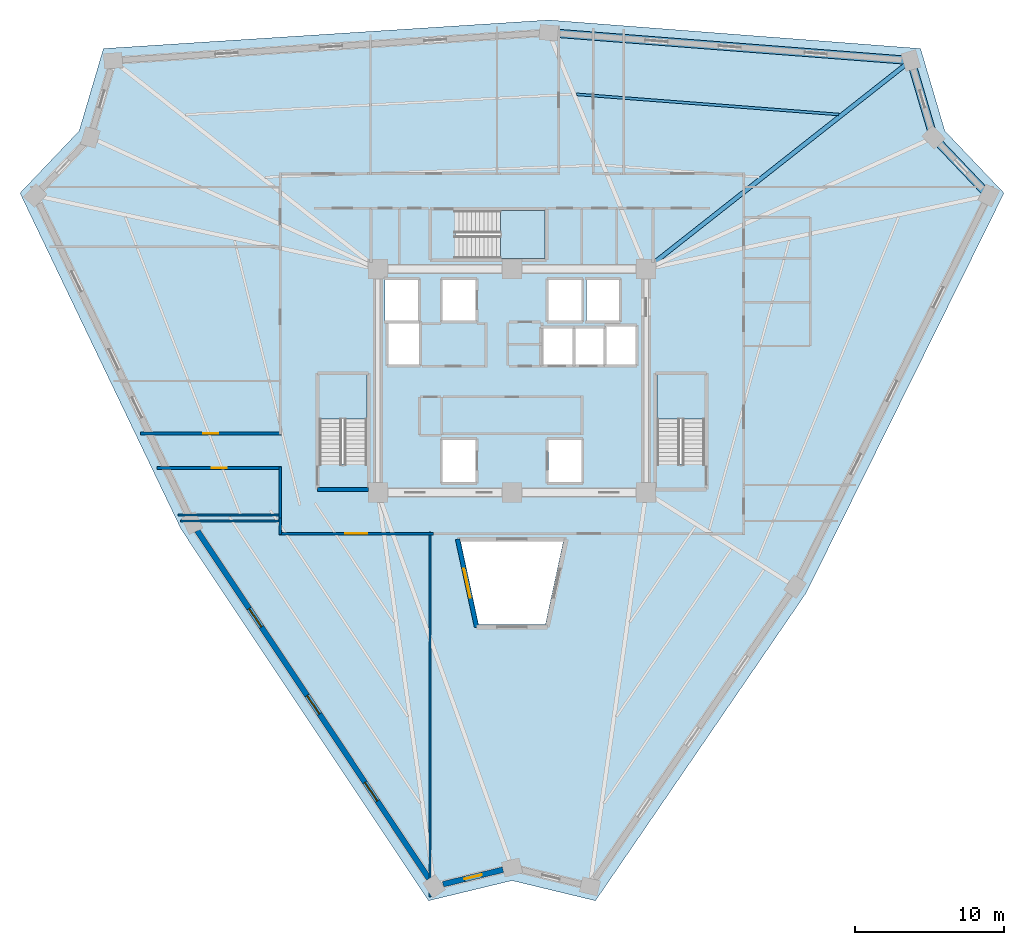
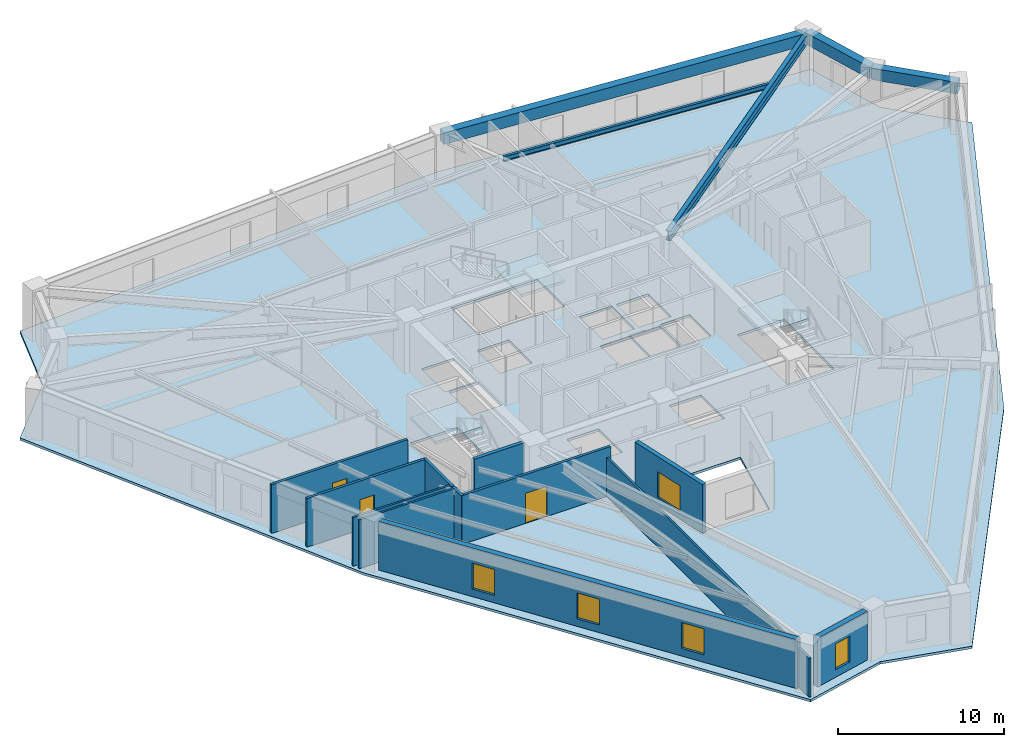
# One storey, part 2 of 8: 12 walls, 5 beams, 5 windows, 4 slabs, 3 doors, 8 openings, 3 elements without a shape of their own.
"""IFC4 building model written with IfcOpenShell, lengths in metres."""

from ifc_helpers import new_model, si_unit, direction, frame, frame_2d, origin, origin_2d, place, context, subcontext, project, spatial, polyline, rectangle, i_section, outline, extrude, source, transform, mapped, material, layer, layer_set, material_profile, profile_set, type_object, element, fill, aggregate, save


model = new_model("IFC4")

# Units and contexts
model_context = context("Model", 3, precision=1e-05, world=origin(), true_north=direction((0.0, 1.0)))
body_context = subcontext(model_context, "Body", "Model", "MODEL_VIEW")
ifc_project = project(units=[si_unit("LENGTHUNIT", "METRE"), si_unit("AREAUNIT", "SQUARE_METRE"), si_unit("VOLUMEUNIT", "CUBIC_METRE"), si_unit("PLANEANGLEUNIT", "RADIAN"), si_unit("MASSUNIT", "GRAM", prefix="KILO")], contexts=[model_context])

# Site, building, storey
site_placement = place(None, origin())
site = spatial("IfcSite", under=ifc_project, at=site_placement, CompositionType="ELEMENT")
building_placement = place(site_placement, origin())
building = spatial("IfcBuilding", under=site, at=building_placement, Name="Liaohun Quay Tower", CompositionType="ELEMENT")
storey_placement = place(building_placement, frame((0.0, 0.0, 251.25)))
storey = spatial("IfcBuildingStorey", under=building, at=storey_placement, Name="L65", CompositionType="ELEMENT", Elevation=251.25)

# Beams
ifc_material_1 = material(Name="Steel Q355D", Category="steel")
ifc_material_profile_1 = material_profile(ifc_material_1, i_section(OverallWidth=0.300048828125, OverallDepth=0.699951171875, WebThickness=0.012939453125, FlangeThickness=0.02392578125, at=origin_2d()), Name="HN700x300x13x24")
ifc_profile_set_1 = profile_set([ifc_material_profile_1], Name="Steel Q355D")
beam_type_1 = type_object("IfcBeamType", Name="BM-RAD-U1", PredefinedType="BEAM", material=ifc_profile_set_1)
shared_shape_1 = source(origin(), body_context, "Body", "SweptSolid", [
    extrude(i_section(OverallWidth=0.300048828125, OverallDepth=0.699951171875, WebThickness=0.012939453125, FlangeThickness=0.02392578125, at=origin_2d()), origin(), (0.0, 0.0, 1.0), 22.62939453125),
])
beam_1_placement = place(storey_placement, frame((69.0, 61.5, 3.219970703125), z_axis=(0.785620385804, 0.618708824415, 0.0), x_axis=(-0.618708824415, 0.785620385804, 0.0)))
element("IfcBeam", 1, at=beam_1_placement, inside=storey, type_object=beam_type_1, Name="L65 Radial Primary Girder CC4-PC07", PredefinedType="BEAM", context=body_context, shape_type="MappedRepresentation", body=[
    mapped(shared_shape_1, transform((0.0, 0.0, 0.0), x_axis=(1.0, 0.0, 0.0), y_axis=(0.0, 1.0, 0.0), z_axis=(0.0, 0.0, 1.0), scale=1.0)),
])
ifc_material_profile_2 = material_profile(ifc_material_1, i_section(OverallWidth=0.175048828125, OverallDepth=0.35009765625, WebThickness=0.007080078125, FlangeThickness=0.010986328125, at=origin_2d()), Name="HN350x175x7x11")
ifc_profile_set_2 = profile_set([ifc_material_profile_2], Name="Steel Q355D")
beam_type_2 = type_object("IfcBeamType", Name="BM-SEC-J3", PredefinedType="JOIST", material=ifc_profile_set_2)
shared_shape_2 = source(origin(), body_context, "Body", "SweptSolid", [
    extrude(i_section(OverallWidth=0.175048828125, OverallDepth=0.35009765625, WebThickness=0.007080078125, FlangeThickness=0.010986328125, at=origin_2d()), origin(), (0.0, 0.0, 1.0), 17.656005859375),
])
beam_2_placement = place(storey_placement, frame((64.3310546875, 73.23095703125, 3.39501953125), z_axis=(0.997059363844, -0.076633054037, 0.0), x_axis=(0.076633054037, 0.997059363844, 0.0)))
element("IfcBeam", 2, at=beam_2_placement, inside=storey, type_object=beam_type_2, Name="L65 Wing Secondary Floor Joist SJ-09", PredefinedType="JOIST", context=body_context, shape_type="MappedRepresentation", body=[
    mapped(shared_shape_2, transform((0.0, 0.0, 0.0), x_axis=(1.0, 0.0, 0.0), y_axis=(0.0, 1.0, 0.0), z_axis=(0.0, 0.0, 1.0), scale=1.0)),
])
ifc_material_2 = material(Name="Precast concrete C50", Category="concrete")
ifc_material_profile_3 = material_profile(ifc_material_2, rectangle(XDim=0.550048828125, YDim=0.85009765625, at=origin_2d()), Name="RC550x850")
ifc_profile_set_3 = profile_set([ifc_material_profile_3], Name="Precast concrete C50")
beam_type_3 = type_object("IfcBeamType", Name="BM-SPD-Z3", PredefinedType="SPANDREL", material=ifc_profile_set_3)
shared_shape_3 = source(origin(), body_context, "Body", "SweptSolid", [
    extrude(rectangle(XDim=0.550048828125, YDim=0.85009765625, at=origin_2d()), origin(), (0.0, 0.0, 1.0), 24.3857421875),
])
beam_3_placement = place(storey_placement, frame((62.464111328125, 77.3701171875, 3.14501953125), z_axis=(0.997058135672, -0.076649031898, 0.0), x_axis=(0.076649031898, 0.997058135672, 0.0)))
element("IfcBeam", 3, at=beam_3_placement, inside=storey, type_object=beam_type_3, Name="L65 Precast Spandrel Beam PC06-PC07", PredefinedType="SPANDREL", context=body_context, shape_type="MappedRepresentation", body=[
    mapped(shared_shape_3, transform((0.0, 0.0, 0.0), x_axis=(1.0, 0.0, 0.0), y_axis=(0.0, 1.0, 0.0), z_axis=(0.0, 0.0, 1.0), scale=1.0)),
])
shared_shape_4 = source(origin(), body_context, "Body", "SweptSolid", [
    extrude(rectangle(XDim=0.550048828125, YDim=0.85009765625, at=origin_2d()), origin(), (0.0, 0.0, 1.0), 5.3818359375),
])
beam_4_placement = place(storey_placement, frame((86.778076171875, 75.5009765625, 3.14501953125), z_axis=(0.282979158673, -0.959126058324, 0.0), x_axis=(0.959126058324, 0.282979158673, 0.0)))
element("IfcBeam", 4, at=beam_4_placement, inside=storey, type_object=beam_type_3, Name="L65 Precast Spandrel Beam PC07-PC08", PredefinedType="SPANDREL", context=body_context, shape_type="MappedRepresentation", body=[
    mapped(shared_shape_4, transform((0.0, 0.0, 0.0), x_axis=(1.0, 0.0, 0.0), y_axis=(0.0, 1.0, 0.0), z_axis=(0.0, 0.0, 1.0), scale=1.0)),
])
shared_shape_5 = source(origin(), body_context, "Body", "SweptSolid", [
    extrude(rectangle(XDim=0.550048828125, YDim=0.85009765625, at=origin_2d()), origin(), (0.0, 0.0, 1.0), 5.37353515625),
])
beam_5_placement = place(storey_placement, frame((88.301025390625, 70.339111328125, 3.14501953125), z_axis=(0.689281829079, -0.724493312669, 0.0), x_axis=(0.724493312669, 0.689281829079, 0.0)))
element("IfcBeam", 5, at=beam_5_placement, inside=storey, type_object=beam_type_3, Name="L65 Precast Spandrel Beam PC08-PC09", PredefinedType="SPANDREL", context=body_context, shape_type="MappedRepresentation", body=[
    mapped(shared_shape_5, transform((0.0, 0.0, 0.0), x_axis=(1.0, 0.0, 0.0), y_axis=(0.0, 1.0, 0.0), z_axis=(0.0, 0.0, 1.0), scale=1.0)),
])

# Stair, slab
ifc_material_3 = material(Name="Concrete C45", Category="concrete")
stair_type = type_object("IfcStairType", Name="STR-CORE-OFF", PredefinedType="HALF_TURN_STAIR", material=ifc_material_3)
stair_1_placement = place(storey_placement, origin())
stair_1 = element("IfcStair", 6, at=stair_1_placement, inside=storey, type_object=stair_type, Name="L65 Smokeproof Core Exit Stair ST-1", PredefinedType="HALF_TURN_STAIR")
ifc_layer_1 = layer(ifc_material_3, 0.199951171875, Name="Concrete C45", Category="concrete")
ifc_layer_set_1 = layer_set([ifc_layer_1], Name="Concrete C45")
slab_type_1 = type_object("IfcSlabType", Name="SLB-LND-200", PredefinedType="LANDING", material=ifc_layer_set_1)
slab_1_placement = place(storey_placement, frame((0.0, 0.0, 1.675048828125)))
slab_1 = element("IfcSlab", 7, at=slab_1_placement, type_object=slab_type_1, Name="ST-1 landing 1", PredefinedType="LANDING", context=body_context, shape_type="SweptSolid", body=[
    extrude(outline(polyline([(50.280029296875, 51.429931640625), (50.280029296875, 54.419921875), (47.0400390625, 54.419921875), (47.0400390625, 51.429931640625), (50.280029296875, 51.429931640625)])), origin(), (0.0, 0.0, 1.0), 0.199951171875),
])
aggregate(stair_1, [slab_1])

stair_2_placement = place(storey_placement, origin())
stair_2 = element("IfcStair", 8, at=stair_2_placement, inside=storey, type_object=stair_type, Name="L65 Smokeproof Core Exit Stair ST-2", PredefinedType="HALF_TURN_STAIR")
slab_2_placement = place(storey_placement, frame((0.0, 0.0, 1.675048828125)))
slab_2 = element("IfcSlab", 9, at=slab_2_placement, type_object=slab_type_1, Name="ST-2 landing 1", PredefinedType="LANDING", context=body_context, shape_type="SweptSolid", body=[
    extrude(outline(polyline([(72.9599609375, 51.429931640625), (72.9599609375, 54.419921875), (69.719970703125, 54.419921875), (69.719970703125, 51.429931640625), (72.9599609375, 51.429931640625)])), origin(), (0.0, 0.0, 1.0), 0.199951171875),
])
aggregate(stair_2, [slab_2])

stair_3_placement = place(storey_placement, origin())
stair_3 = element("IfcStair", 10, at=stair_3_placement, inside=storey, type_object=stair_type, Name="L65 Smokeproof Core Exit Stair ST-3", PredefinedType="HALF_TURN_STAIR")
slab_3_placement = place(storey_placement, frame((0.0, 0.0, 1.675048828125)))
slab_3 = element("IfcSlab", 11, at=slab_3_placement, type_object=slab_type_1, Name="ST-3 landing 1", PredefinedType="LANDING", context=body_context, shape_type="SweptSolid", body=[
    extrude(outline(polyline([(59.22998046875, 62.199951171875), (62.219970703125, 62.199951171875), (62.219970703125, 65.43994140625), (59.22998046875, 65.43994140625), (59.22998046875, 62.199951171875)])), origin(), (0.0, 0.0, 1.0), 0.199951171875),
])
aggregate(stair_3, [slab_3])

# Slab
ifc_layer_2 = layer(ifc_material_3, 0.179931640625, Name="Concrete C45", Category="concrete")
ifc_layer_set_2 = layer_set([ifc_layer_2], Name="Concrete C45")
slab_type_2 = type_object("IfcSlabType", Name="SLB-OFF-180", PredefinedType="FLOOR", material=ifc_layer_set_2)
slab_4_placement = place(storey_placement, frame((0.0, 0.0, -0.179931640625)))
element("IfcSlab", 12, at=slab_4_placement, inside=storey, type_object=slab_type_2, Name="L65 Structural Floor Slab", PredefinedType="FLOOR", context=body_context, shape_type="SweptSolid", body=[
    extrude(outline(polyline([(54.39794921875, 19.093994140625), (60.0, 20.447021484375), (65.60205078125, 19.093994140625), (79.742919921875, 39.7509765625), (93.030029296875, 66.60205078125), (89.05810546875, 70.77587890625), (87.427978515625, 76.303955078125), (62.468994140625, 78.221923828125), (32.572021484375, 76.303955078125), (30.94189453125, 70.77587890625), (26.969970703125, 66.60205078125), (37.7890625, 44.027099609375), (54.39794921875, 19.093994140625)]), holes=[polyline([(63.444091796875, 43.199951171875), (56.555908203125, 43.199951171875), (57.760986328125, 37.6240234375), (62.239013671875, 37.6240234375), (63.444091796875, 43.199951171875)]), polyline([(57.56005859375, 47.2099609375), (57.56005859375, 50.030029296875), (55.340087890625, 50.030029296875), (55.340087890625, 47.2099609375), (57.56005859375, 47.2099609375)]), polyline([(50.280029296875, 54.419921875), (47.0400390625, 54.419921875), (47.0400390625, 48.409912109375), (50.280029296875, 48.409912109375), (50.280029296875, 54.419921875)]), polyline([(53.760009765625, 55.090087890625), (53.760009765625, 57.909912109375), (51.7099609375, 57.909912109375), (51.7099609375, 55.090087890625), (53.760009765625, 55.090087890625)]), polyline([(53.7099609375, 58.0400390625), (53.7099609375, 60.7900390625), (51.489990234375, 60.7900390625), (51.489990234375, 58.0400390625), (53.7099609375, 58.0400390625)]), polyline([(57.56005859375, 58.0400390625), (57.56005859375, 60.7900390625), (55.340087890625, 60.7900390625), (55.340087890625, 58.0400390625), (57.56005859375, 58.0400390625)]), polyline([(62.219970703125, 62.199951171875), (62.219970703125, 65.43994140625), (56.2099609375, 65.43994140625), (56.2099609375, 62.199951171875), (62.219970703125, 62.199951171875)]), polyline([(64.659912109375, 50.030029296875), (62.43994140625, 50.030029296875), (62.43994140625, 47.2099609375), (64.659912109375, 47.2099609375), (64.659912109375, 50.030029296875)]), polyline([(72.9599609375, 54.419921875), (69.719970703125, 54.419921875), (69.719970703125, 48.409912109375), (72.9599609375, 48.409912109375), (72.9599609375, 54.419921875)]), polyline([(64.06005859375, 55.090087890625), (64.06005859375, 57.510009765625), (61.989990234375, 57.510009765625), (61.989990234375, 55.090087890625), (64.06005859375, 55.090087890625)]), polyline([(66.159912109375, 55.090087890625), (66.159912109375, 57.510009765625), (64.090087890625, 57.510009765625), (64.090087890625, 55.090087890625), (66.159912109375, 55.090087890625)]), polyline([(68.2900390625, 55.090087890625), (68.2900390625, 57.659912109375), (66.2900390625, 57.659912109375), (66.2900390625, 55.090087890625), (68.2900390625, 55.090087890625)]), polyline([(64.659912109375, 58.0400390625), (64.659912109375, 60.7900390625), (62.43994140625, 60.7900390625), (62.43994140625, 58.0400390625), (64.659912109375, 58.0400390625)]), polyline([(67.2099609375, 58.0400390625), (67.2099609375, 60.7900390625), (64.989990234375, 60.7900390625), (64.989990234375, 58.0400390625), (67.2099609375, 58.0400390625)])]), origin(), (0.0, 0.0, 1.0), 0.179931640625),
])

# Wall, opening, window
ifc_material_4 = material(Name="Concrete C50", Category="concrete")
ifc_layer_3 = layer(ifc_material_4, 0.300048828125, Name="Concrete C50", Category="concrete")
ifc_layer_set_3 = layer_set([ifc_layer_3], Name="Concrete C50")
wall_type_1 = type_object("IfcWallType", Name="WAL-ATR-300", PredefinedType="SOLIDWALL", material=ifc_layer_set_3)
wall_1_placement = place(storey_placement, frame((57.6240234375, 37.4541015625, 0.0), z_axis=(0.0, 0.0, 1.0), x_axis=(-0.211319253415, 0.977417092717, 0.0)))
wall_1 = element("IfcWall", 13, at=wall_1_placement, inside=storey, type_object=wall_type_1, Name="L65 Atrium Fire Compartment Wall 1", PredefinedType="SOLIDWALL", context=body_context, shape_type="SweptSolid", body=[
    extrude(rectangle(XDim=6.052734375, YDim=0.300048828125, at=frame_2d((3.0263671875, 0.0))), origin(), (0.0, 0.0, 1.0), 3.570068359375),
])
shared_shape_6 = source(origin(), body_context, "Body", "SweptSolid", [
    extrude(rectangle(XDim=2.0, YDim=1.89990234375, at=frame_2d((1.0, 0.949951171875))), frame((0.0, 0.159912109375, 0.0), z_axis=(0.0, -1.0, 0.0), x_axis=(1.0, 0.0, 0.0)), (0.0, 0.0, 1.0), 0.320068359375),
])
opening_1_placement = place(wall_1_placement, frame((2.02587890625, 0.0, 0.550048828125)))
opening_1 = element("IfcOpeningElement", 14, at=opening_1_placement, cuts=wall_1, Name="Opening W07", PredefinedType="OPENING", context=body_context, shape_type="MappedRepresentation", body=[
    mapped(shared_shape_6, transform((0.0, 0.0, 0.0), x_axis=(1.0, 0.0, 0.0), y_axis=(0.0, 1.0, 0.0), z_axis=(0.0, 0.0, 1.0), scale=1.0)),
])
ifc_material_5 = material(Name="Class A 180-min fire-resistant insulated glazing", Category="glass")
window_type_1 = type_object("IfcWindowType", Name="WIN-ATR-FIR", PartitioningType="DOUBLE_PANEL_VERTICAL", PredefinedType="WINDOW", material=ifc_material_5)
shared_shape_7 = source(origin(), body_context, "Body", "SweptSolid", [
    extrude(rectangle(XDim=2.0, YDim=1.89990234375, at=frame_2d((1.0, 0.949951171875))), frame((0.0, 0.030029296875, 0.0), z_axis=(0.0, -1.0, 0.0), x_axis=(1.0, 0.0, 0.0)), (0.0, 0.0, 1.0), 0.06005859375),
])
window_1_placement = place(opening_1_placement, origin())
window_1 = element("IfcWindow", 15, at=window_1_placement, inside=storey, type_object=window_type_1, Name="L65 Atrium Fire-Resistant Glazing W07-1", OverallHeight=1.89990234375, OverallWidth=2.0, PartitioningType="DOUBLE_PANEL_VERTICAL", PredefinedType="WINDOW", context=body_context, shape_type="MappedRepresentation", body=[
    mapped(shared_shape_7, transform((0.0, 0.0, 0.0), x_axis=(1.0, 0.0, 0.0), y_axis=(0.0, 1.0, 0.0), z_axis=(0.0, 0.0, 1.0), scale=1.0)),
])
fill(opening_1, window_1)

# Wall, openings, windows
ifc_material_6 = material(Name="Precast concrete C50 insulated sandwich", Category="concrete")
ifc_layer_4 = layer(ifc_material_6, 0.3798828125, Name="Precast concrete C50 insulated sandwich", Category="concrete")
ifc_layer_set_4 = layer_set([ifc_layer_4], Name="Precast concrete C50 insulated sandwich")
wall_type_2 = type_object("IfcWallType", Name="WAL-EXT-Z34", PredefinedType="SOLIDWALL", material=ifc_layer_set_4)
wall_2_placement = place(storey_placement, frame((38.87109375, 43.93603515625, 0.0), z_axis=(0.0, 0.0, 1.0), x_axis=(0.554403141281, -0.832248254391, 0.0)))
wall_2 = element("IfcWall", 16, at=wall_2_placement, inside=storey, type_object=wall_type_2, Name="L65 Brutalist Precast Pier Wall 11", PredefinedType="SOLIDWALL", context=body_context, shape_type="SweptSolid", body=[
    extrude(rectangle(XDim=28.073486328125, YDim=0.3798828125, at=frame_2d((14.03662109375, 0.0))), origin(), (0.0, 0.0, 1.0), 3.570068359375),
])
shared_shape_8 = source(origin(), body_context, "Body", "SweptSolid", [
    extrude(rectangle(XDim=1.5, YDim=1.89990234375, at=frame_2d((0.75, 0.949951171875))), frame((0.0, 0.199951171875, 0.0), z_axis=(0.0, -1.0, 0.0), x_axis=(1.0, 0.0, 0.0)), (0.0, 0.0, 1.0), 0.39990234375),
])
opening_2_placement = place(wall_2_placement, frame((6.26806640625, 0.0, 0.550048828125)))
opening_2 = element("IfcOpeningElement", 17, at=opening_2_placement, cuts=wall_2, Name="Opening W03", PredefinedType="OPENING", context=body_context, shape_type="MappedRepresentation", body=[
    mapped(shared_shape_8, transform((0.0, 0.0, 0.0), x_axis=(1.0, 0.0, 0.0), y_axis=(0.0, 1.0, 0.0), z_axis=(0.0, 0.0, 1.0), scale=1.0)),
])
opening_3_placement = place(wall_2_placement, frame((13.287109375, 0.0, 0.550048828125)))
opening_3 = element("IfcOpeningElement", 18, at=opening_3_placement, cuts=wall_2, Name="Opening W03", PredefinedType="OPENING", context=body_context, shape_type="MappedRepresentation", body=[
    mapped(shared_shape_8, transform((0.0, 0.0, 0.0), x_axis=(1.0, 0.0, 0.0), y_axis=(0.0, 1.0, 0.0), z_axis=(0.0, 0.0, 1.0), scale=1.0)),
])
opening_4_placement = place(wall_2_placement, frame((20.304931640625, 0.0, 0.550048828125)))
opening_4 = element("IfcOpeningElement", 19, at=opening_4_placement, cuts=wall_2, Name="Opening W03", PredefinedType="OPENING", context=body_context, shape_type="MappedRepresentation", body=[
    mapped(shared_shape_8, transform((0.0, 0.0, 0.0), x_axis=(1.0, 0.0, 0.0), y_axis=(0.0, 1.0, 0.0), z_axis=(0.0, 0.0, 1.0), scale=1.0)),
])
ifc_material_7 = material(Name="Triple Low-E argon glazing in thermally broken aluminium", Category="aluminium")
window_type_2 = type_object("IfcWindowType", Name="WIN-PUN-Z3", PartitioningType="DOUBLE_PANEL_VERTICAL", PredefinedType="WINDOW", material=ifc_material_7)
shared_shape_9 = source(origin(), body_context, "Body", "SweptSolid", [
    extrude(rectangle(XDim=1.5, YDim=1.89990234375, at=frame_2d((0.75, 0.949951171875))), frame((0.0, 0.030029296875, 0.0), z_axis=(0.0, -1.0, 0.0), x_axis=(1.0, 0.0, 0.0)), (0.0, 0.0, 1.0), 0.06005859375),
])
window_2_placement = place(opening_2_placement, origin())
window_2 = element("IfcWindow", 20, at=window_2_placement, inside=storey, type_object=window_type_2, Name="L65 Recessed Cold-Climate Punched Window 11-1", OverallHeight=1.89990234375, OverallWidth=1.5, PartitioningType="DOUBLE_PANEL_VERTICAL", PredefinedType="WINDOW", context=body_context, shape_type="MappedRepresentation", body=[
    mapped(shared_shape_9, transform((0.0, 0.0, 0.0), x_axis=(1.0, 0.0, 0.0), y_axis=(0.0, 1.0, 0.0), z_axis=(0.0, 0.0, 1.0), scale=1.0)),
])
fill(opening_2, window_2)
window_3_placement = place(opening_3_placement, origin())
window_3 = element("IfcWindow", 21, at=window_3_placement, inside=storey, type_object=window_type_2, Name="L65 Recessed Cold-Climate Punched Window 11-2", OverallHeight=1.89990234375, OverallWidth=1.5, PartitioningType="DOUBLE_PANEL_VERTICAL", PredefinedType="WINDOW", context=body_context, shape_type="MappedRepresentation", body=[
    mapped(shared_shape_9, transform((0.0, 0.0, 0.0), x_axis=(1.0, 0.0, 0.0), y_axis=(0.0, 1.0, 0.0), z_axis=(0.0, 0.0, 1.0), scale=1.0)),
])
fill(opening_3, window_3)
window_4_placement = place(opening_4_placement, origin())
window_4 = element("IfcWindow", 22, at=window_4_placement, inside=storey, type_object=window_type_2, Name="L65 Recessed Cold-Climate Punched Window 11-3", OverallHeight=1.89990234375, OverallWidth=1.5, PartitioningType="DOUBLE_PANEL_VERTICAL", PredefinedType="WINDOW", context=body_context, shape_type="MappedRepresentation", body=[
    mapped(shared_shape_9, transform((0.0, 0.0, 0.0), x_axis=(1.0, 0.0, 0.0), y_axis=(0.0, 1.0, 0.0), z_axis=(0.0, 0.0, 1.0), scale=1.0)),
])
fill(opening_4, window_4)

# Wall, opening, window
wall_3_placement = place(storey_placement, frame((55.3740234375, 20.2041015625, 0.0), z_axis=(0.0, 0.0, 1.0), x_axis=(0.972048835294, 0.234778750751, 0.0)))
wall_3 = element("IfcWall", 23, at=wall_3_placement, inside=storey, type_object=wall_type_2, Name="L65 Brutalist Precast Pier Wall 12", PredefinedType="SOLIDWALL", context=body_context, shape_type="SweptSolid", body=[
    extrude(rectangle(XDim=4.143798828125, YDim=0.3798828125, at=frame_2d((2.07177734375, 0.0))), origin(), (0.0, 0.0, 1.0), 3.570068359375),
])
shared_shape_10 = source(origin(), body_context, "Body", "SweptSolid", [
    extrude(rectangle(XDim=1.199951171875, YDim=1.89990234375, at=frame_2d((0.60009765625, 0.949951171875))), frame((0.0, 0.199951171875, 0.0), z_axis=(0.0, -1.0, 0.0), x_axis=(1.0, 0.0, 0.0)), (0.0, 0.0, 1.0), 0.39990234375),
])
opening_5_placement = place(wall_3_placement, frame((1.471923828125, 0.0, 0.550048828125)))
opening_5 = element("IfcOpeningElement", 24, at=opening_5_placement, cuts=wall_3, Name="Opening W05", PredefinedType="OPENING", context=body_context, shape_type="MappedRepresentation", body=[
    mapped(shared_shape_10, transform((0.0, 0.0, 0.0), x_axis=(1.0, 0.0, 0.0), y_axis=(0.0, 1.0, 0.0), z_axis=(0.0, 0.0, 1.0), scale=1.0)),
])
ifc_material_8 = material(Name="Triple Low-E corner notch glazing", Category="glass")
window_type_3 = type_object("IfcWindowType", Name="WIN-NOTCH", PartitioningType="SINGLE_PANEL", PredefinedType="WINDOW", material=ifc_material_8)
shared_shape_11 = source(origin(), body_context, "Body", "SweptSolid", [
    extrude(rectangle(XDim=1.199951171875, YDim=1.89990234375, at=frame_2d((0.60009765625, 0.949951171875))), frame((0.0, 0.030029296875, 0.0), z_axis=(0.0, -1.0, 0.0), x_axis=(1.0, 0.0, 0.0)), (0.0, 0.0, 1.0), 0.06005859375),
])
window_5_placement = place(opening_5_placement, origin())
window_5 = element("IfcWindow", 25, at=window_5_placement, inside=storey, type_object=window_type_3, Name="L65 Corner Notch Window W05-12", OverallHeight=1.89990234375, OverallWidth=1.199951171875, PartitioningType="SINGLE_PANEL", PredefinedType="WINDOW", context=body_context, shape_type="MappedRepresentation", body=[
    mapped(shared_shape_11, transform((0.0, 0.0, 0.0), x_axis=(1.0, 0.0, 0.0), y_axis=(0.0, 1.0, 0.0), z_axis=(0.0, 0.0, 1.0), scale=1.0)),
])
fill(opening_5, window_5)

# Wall, opening, door
ifc_material_9 = material(Name="Autoclaved aerated concrete blockwork", Category="masonry")
ifc_layer_5 = layer(ifc_material_9, 0.179931640625, Name="Autoclaved aerated concrete blockwork", Category="masonry")
ifc_layer_set_5 = layer_set([ifc_layer_5], Name="Autoclaved aerated concrete blockwork")
wall_type_3 = type_object("IfcWallType", Name="WAL-PRT-COR", PredefinedType="PARTITIONING", material=ifc_layer_set_5)
wall_4_placement = place(storey_placement, frame((35.056884765625, 50.4599609375, 0.0), z_axis=(0.0, 0.0, 1.0), x_axis=(1.0, 0.0, 0.0)))
wall_4 = element("IfcWall", 26, at=wall_4_placement, inside=storey, type_object=wall_type_3, Name="L65 Interior Partition Wall 024", PredefinedType="PARTITIONING", context=body_context, shape_type="SweptSolid", body=[
    extrude(rectangle(XDim=9.453125, YDim=0.179931640625, at=frame_2d((4.7265625, 0.0))), origin(), (0.0, 0.0, 1.0), 3.570068359375),
])
shared_shape_12 = source(origin(), body_context, "Body", "SweptSolid", [
    extrude(rectangle(XDim=1.0, YDim=2.199951171875, at=frame_2d((0.5, 1.10009765625))), frame((0.0, 0.099853515625, 0.0), z_axis=(0.0, -1.0, 0.0), x_axis=(1.0, 0.0, 0.0)), (0.0, 0.0, 1.0), 0.199951171875),
])
opening_6_placement = place(wall_4_placement, frame((4.22607421875, 0.0, 0.0)))
opening_6 = element("IfcOpeningElement", 27, at=opening_6_placement, cuts=wall_4, Name="Opening OD1", PredefinedType="OPENING", context=body_context, shape_type="MappedRepresentation", body=[
    mapped(shared_shape_12, transform((0.0, 0.0, 0.0), x_axis=(1.0, 0.0, 0.0), y_axis=(0.0, 1.0, 0.0), z_axis=(0.0, 0.0, 1.0), scale=1.0)),
])
ifc_material_10 = material(Name="Solid-core oak veneer timber leaf in steel frame", Category="steel")
door_type_1 = type_object("IfcDoorType", Name="DOR-OFF-1000", OperationType="NOTDEFINED", PredefinedType="DOOR", material=ifc_material_10)
shared_shape_13 = source(origin(), body_context, "Body", "SweptSolid", [
    extrude(rectangle(XDim=1.0, YDim=2.199951171875, at=frame_2d((0.5, 1.10009765625))), frame((0.0, 0.02490234375, 0.0), z_axis=(0.0, -1.0, 0.0), x_axis=(1.0, 0.0, 0.0)), (0.0, 0.0, 1.0), 0.050048828125),
])
door_1_placement = place(opening_6_placement, origin())
door_1 = element("IfcDoor", 28, at=door_1_placement, inside=storey, type_object=door_type_1, Name="L65 Records Archive Store 09 Door", OperationType="SINGLE_SWING_RIGHT", OverallHeight=2.199951171875, OverallWidth=1.0, PredefinedType="DOOR", context=body_context, shape_type="MappedRepresentation", body=[
    mapped(shared_shape_13, transform((0.0, 0.0, 0.0), x_axis=(1.0, 0.0, 0.0), y_axis=(0.0, 1.0, 0.0), z_axis=(0.0, 0.0, 1.0), scale=1.0)),
])
fill(opening_6, door_1)

wall_5_placement = place(storey_placement, frame((44.510009765625, 48.139892578125, 0.0), z_axis=(0.0, 0.0, 1.0), x_axis=(-1.0, 0.0, 0.0)))
wall_5 = element("IfcWall", 29, at=wall_5_placement, inside=storey, type_object=wall_type_3, Name="L65 Interior Partition Wall 025", PredefinedType="PARTITIONING", context=body_context, shape_type="SweptSolid", body=[
    extrude(rectangle(XDim=8.341064453125, YDim=0.179931640625, at=frame_2d((4.17041015625, 0.0))), origin(), (0.0, 0.0, 1.0), 3.570068359375),
])
opening_7_placement = place(wall_5_placement, frame((3.6708984375, 0.0, 0.0)))
opening_7 = element("IfcOpeningElement", 30, at=opening_7_placement, cuts=wall_5, Name="Opening OD1", PredefinedType="OPENING", context=body_context, shape_type="MappedRepresentation", body=[
    mapped(shared_shape_12, transform((0.0, 0.0, 0.0), x_axis=(1.0, 0.0, 0.0), y_axis=(0.0, 1.0, 0.0), z_axis=(0.0, 0.0, 1.0), scale=1.0)),
])
door_2_placement = place(opening_7_placement, origin())
door_2 = element("IfcDoor", 31, at=door_2_placement, inside=storey, type_object=door_type_1, Name="L65 Open-Plan Office Workplace 10 Door", OperationType="SINGLE_SWING_LEFT", OverallHeight=2.199951171875, OverallWidth=1.0, PredefinedType="DOOR", context=body_context, shape_type="MappedRepresentation", body=[
    mapped(shared_shape_13, transform((0.0, 0.0, 0.0), x_axis=(1.0, 0.0, 0.0), y_axis=(0.0, 1.0, 0.0), z_axis=(0.0, 0.0, 1.0), scale=1.0)),
])
fill(opening_7, door_2)

wall_6_placement = place(storey_placement, frame((54.715087890625, 43.739990234375, 0.0), z_axis=(0.0, 0.0, 1.0), x_axis=(-1.0, 0.0, 0.0)))
wall_6 = element("IfcWall", 32, at=wall_6_placement, inside=storey, type_object=wall_type_3, Name="L65 Interior Partition Wall 026", PredefinedType="PARTITIONING", context=body_context, shape_type="SweptSolid", body=[
    extrude(rectangle(XDim=10.344970703125, YDim=0.179931640625, at=frame_2d((5.17236328125, 0.0))), origin(), (0.0, 0.0, 1.0), 3.570068359375),
])
shared_shape_14 = source(origin(), body_context, "Body", "SweptSolid", [
    extrude(rectangle(XDim=1.5, YDim=2.199951171875, at=frame_2d((0.75, 1.10009765625))), frame((0.0, 0.099853515625, 0.0), z_axis=(0.0, -1.0, 0.0), x_axis=(1.0, 0.0, 0.0)), (0.0, 0.0, 1.0), 0.199951171875),
])
opening_8_placement = place(wall_6_placement, frame((4.423095703125, 0.0, 0.0)))
opening_8 = element("IfcOpeningElement", 33, at=opening_8_placement, cuts=wall_6, Name="Opening OD2", PredefinedType="OPENING", context=body_context, shape_type="MappedRepresentation", body=[
    mapped(shared_shape_14, transform((0.0, 0.0, 0.0), x_axis=(1.0, 0.0, 0.0), y_axis=(0.0, 1.0, 0.0), z_axis=(0.0, 0.0, 1.0), scale=1.0)),
])
ifc_material_11 = material(Name="Acoustic oak veneer double door")
door_type_2 = type_object("IfcDoorType", Name="DOR-OFF-1500", OperationType="DOUBLE_DOOR_SINGLE_SWING", PredefinedType="DOOR", material=ifc_material_11)
shared_shape_15 = source(origin(), body_context, "Body", "SweptSolid", [
    extrude(rectangle(XDim=1.5, YDim=2.199951171875, at=frame_2d((0.75, 1.10009765625))), frame((0.0, 0.02490234375, 0.0), z_axis=(0.0, -1.0, 0.0), x_axis=(1.0, 0.0, 0.0)), (0.0, 0.0, 1.0), 0.050048828125),
])
door_3_placement = place(opening_8_placement, origin())
door_3 = element("IfcDoor", 34, at=door_3_placement, inside=storey, type_object=door_type_2, Name="L65 Executive Partner Office 11 Door", OperationType="DOUBLE_DOOR_SINGLE_SWING", OverallHeight=2.199951171875, OverallWidth=1.5, PredefinedType="DOOR", context=body_context, shape_type="MappedRepresentation", body=[
    mapped(shared_shape_15, transform((0.0, 0.0, 0.0), x_axis=(1.0, 0.0, 0.0), y_axis=(0.0, 1.0, 0.0), z_axis=(0.0, 0.0, 1.0), scale=1.0)),
])
fill(opening_8, door_3)

# Walls
wall_7_placement = place(storey_placement, frame((44.43994140625, 44.784912109375, 0.0), z_axis=(0.0, 0.0, 1.0), x_axis=(0.0, 1.0, 0.0)))
element("IfcWall", 35, at=wall_7_placement, inside=storey, type_object=wall_type_3, Name="L65 Interior Partition Wall 051", PredefinedType="PARTITIONING", context=body_context, shape_type="SweptSolid", body=[
    extrude(rectangle(XDim=3.425048828125, YDim=0.179931640625, at=frame_2d((1.71240234375, 0.0))), origin(), (0.0, 0.0, 1.0), 3.570068359375),
])
wall_8_placement = place(storey_placement, frame((44.43994140625, 43.669921875, 0.0), z_axis=(0.0, 0.0, 1.0), x_axis=(0.0, 1.0, 0.0)))
element("IfcWall", 36, at=wall_8_placement, inside=storey, type_object=wall_type_3, Name="L65 Interior Partition Wall 052", PredefinedType="PARTITIONING", context=body_context, shape_type="SweptSolid", body=[
    extrude(rectangle(XDim=1.114990234375, YDim=0.179931640625, at=frame_2d((0.5576171875, 0.0))), origin(), (0.0, 0.0, 1.0), 3.570068359375),
])
ifc_material_12 = material(Name="Gypsum board on twin steel studs", Category="steel")
ifc_layer_6 = layer(ifc_material_12, 0.139892578125, Name="Gypsum board on twin steel studs", Category="steel")
ifc_layer_set_6 = layer_set([ifc_layer_6], Name="Gypsum board on twin steel studs")
wall_type_4 = type_object("IfcWallType", Name="WAL-PRT-OFF", PredefinedType="PARTITIONING", material=ifc_layer_set_6)
wall_9_placement = place(storey_placement, frame((44.5400390625, 44.60009765625, 0.0), z_axis=(0.0, 0.0, 1.0), x_axis=(-1.0, 0.0, 0.0)))
element("IfcWall", 37, at=wall_9_placement, inside=storey, type_object=wall_type_4, Name="L65 Interior Partition Wall 054", PredefinedType="PARTITIONING", context=body_context, shape_type="SweptSolid", body=[
    extrude(rectangle(XDim=6.781982421875, YDim=0.139892578125, at=frame_2d((3.39111328125, 0.0))), origin(), (0.0, 0.0, 1.0), 3.570068359375),
])
wall_10_placement = place(storey_placement, frame((44.5400390625, 45.0, 0.0), z_axis=(0.0, 0.0, 1.0), x_axis=(-1.0, 0.0, 0.0)))
element("IfcWall", 38, at=wall_10_placement, inside=storey, type_object=wall_type_4, Name="L65 Interior Partition Wall 055", PredefinedType="PARTITIONING", context=body_context, shape_type="SweptSolid", body=[
    extrude(rectangle(XDim=6.97314453125, YDim=0.139892578125, at=frame_2d((3.486572265625, 0.0))), origin(), (0.0, 0.0, 1.0), 3.570068359375),
])
wall_11_placement = place(storey_placement, frame((54.5, 43.840087890625, 0.0), z_axis=(0.0, 0.0, 1.0), x_axis=(0.0, -1.0, 0.0)))
element("IfcWall", 39, at=wall_11_placement, inside=storey, type_object=wall_type_4, Name="L65 Interior Partition Wall 065", PredefinedType="PARTITIONING", context=body_context, shape_type="SweptSolid", body=[
    extrude(rectangle(XDim=24.4951171875, YDim=0.139892578125, at=frame_2d((12.24755859375, 0.0))), origin(), (0.0, 0.0, 1.0), 2.85498046875),
])
ifc_layer_7 = layer(ifc_material_4, 0.239990234375, Name="Concrete C50", Category="concrete")
ifc_layer_set_7 = layer_set([ifc_layer_7], Name="Concrete C50")
wall_type_5 = type_object("IfcWallType", Name="WAL-SHF-200", PredefinedType="SOLIDWALL", material=ifc_layer_set_7)
wall_12_placement = place(storey_placement, frame((46.93994140625, 46.699951171875, 0.0), z_axis=(0.0, 0.0, 1.0), x_axis=(1.0, 0.0, 0.0)))
element("IfcWall", 40, at=wall_12_placement, inside=storey, type_object=wall_type_5, Name="L65 Stairwell ST-1 Structural Core Wall S", PredefinedType="SOLIDWALL", context=body_context, shape_type="SweptSolid", body=[
    extrude(rectangle(XDim=3.43994140625, YDim=0.239990234375, at=frame_2d((1.719970703125, 0.0))), origin(), (0.0, 0.0, 1.0), 3.570068359375),
])

save(model, "model.ifc")
